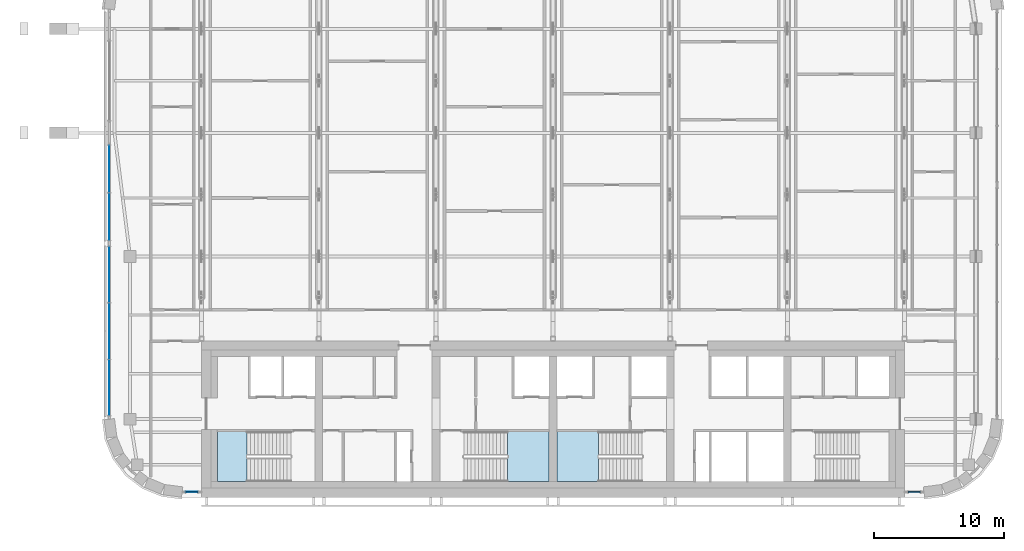
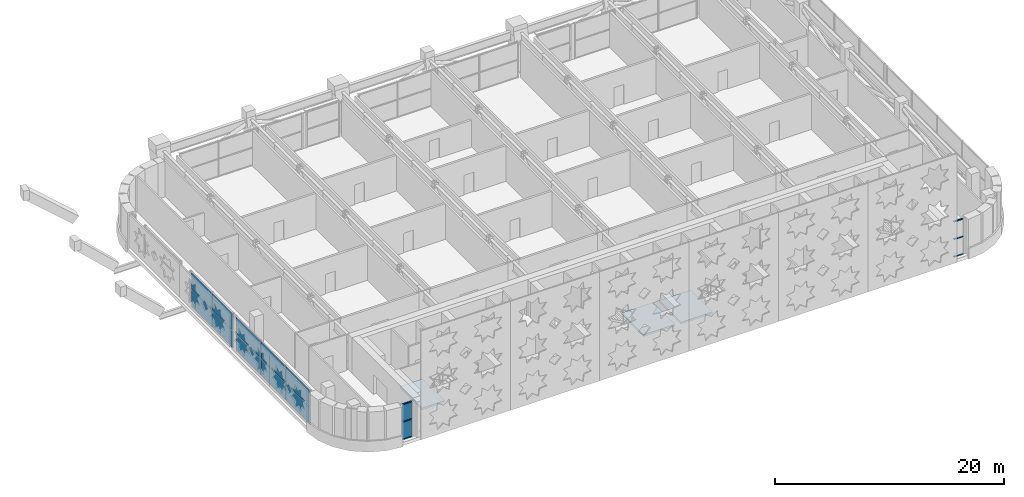
# One storey, part 13 of 26: 12 plates, 6 members, 3 slabs, 7 elements without a shape of their own.
"""IFC4 building model written with IfcOpenShell, lengths in metres."""

from ifc_helpers import new_model, si_unit, direction, frame, origin, origin_2d, place, context, subcontext, project, spatial, polyline, rectangle, outline, extrude, material, layer, layer_set, material_profile, profile_set, type_object, element, aggregate, save


model = new_model("IFC4")

# Units and contexts
model_context = context("Model", 3, precision=1e-05, world=origin(), true_north=direction((0.0, 1.0)))
body_context = subcontext(model_context, "Body", "Model", "MODEL_VIEW")
ifc_project = project(units=[si_unit("LENGTHUNIT", "METRE"), si_unit("AREAUNIT", "SQUARE_METRE"), si_unit("VOLUMEUNIT", "CUBIC_METRE"), si_unit("PLANEANGLEUNIT", "RADIAN"), si_unit("MASSUNIT", "GRAM", prefix="KILO")], contexts=[model_context])

# Site, building, storey
site_placement = place(None, origin())
site = spatial("IfcSite", under=ifc_project, at=site_placement, CompositionType="ELEMENT")
building_placement = place(site_placement, origin())
building = spatial("IfcBuilding", under=site, at=building_placement, Name="Zellij Exchange Tower", CompositionType="ELEMENT")
storey_placement = place(building_placement, frame((0.0, 0.0, 216.5)))
storey = spatial("IfcBuildingStorey", under=building, at=storey_placement, Name="L50", CompositionType="ELEMENT", Elevation=216.5)

# Curtain wall, members
ifc_material_1 = material(Name="Aluminium frame, clear insulating glass", Category="aluminium")
curtain_wall_type = type_object("IfcCurtainWallType", Name="ENV-CW2 Outrigger-storey glazing", PredefinedType="NOTDEFINED", material=ifc_material_1)
curtain_wall_1_placement = place(storey_placement, origin())
curtain_wall_1 = element("IfcCurtainWall", 1, at=curtain_wall_1_placement, inside=storey, type_object=curtain_wall_type, Name="cw.L50.00a", PredefinedType="NOTDEFINED")
ifc_material_2 = material(Name="Aluminium", Category="aluminium")
ifc_material_profile = material_profile(ifc_material_2, rectangle(XDim=0.139892578125, YDim=0.06005859375, at=origin_2d()), Name="AL 140x60")
ifc_profile_set = profile_set([ifc_material_profile], Name="Aluminium")
member_type = type_object("IfcMemberType", Name="ENV-CW2T Transom 140x60", PredefinedType="USERDEFINED", material=ifc_profile_set)
member_1_placement = place(storey_placement, frame((-28.2138671875, -13.60009765625, 0.030029296875), z_axis=(1.0, 0.0, 0.0), x_axis=(0.0, 1.0, 0.0)))
member_1 = element("IfcMember", 2, at=member_1_placement, type_object=member_type, Name="CW2 transom 1.1", ObjectType="TRANSOM", PredefinedType="USERDEFINED", context=body_context, shape_type="SweptSolid", body=[
    extrude(rectangle(XDim=0.139892578125, YDim=0.06005859375, at=origin_2d()), origin(), (0.0, 0.0, 1.0), 0.90380859375),
])
member_2_placement = place(storey_placement, frame((-28.2138671875, -13.60009765625, 1.89990234375), z_axis=(1.0, 0.0, 0.0), x_axis=(0.0, 1.0, 0.0)))
member_2 = element("IfcMember", 3, at=member_2_placement, type_object=member_type, Name="CW2 transom 1.2", ObjectType="TRANSOM", PredefinedType="USERDEFINED", context=body_context, shape_type="SweptSolid", body=[
    extrude(rectangle(XDim=0.139892578125, YDim=0.06005859375, at=origin_2d()), origin(), (0.0, 0.0, 1.0), 0.90380859375),
])
member_3_placement = place(storey_placement, frame((-28.2138671875, -13.60009765625, 3.77001953125), z_axis=(1.0, 0.0, 0.0), x_axis=(0.0, 1.0, 0.0)))
member_3 = element("IfcMember", 4, at=member_3_placement, type_object=member_type, Name="CW2 transom 1.3", ObjectType="TRANSOM", PredefinedType="USERDEFINED", context=body_context, shape_type="SweptSolid", body=[
    extrude(rectangle(XDim=0.139892578125, YDim=0.06005859375, at=origin_2d()), origin(), (0.0, 0.0, 1.0), 0.90380859375),
])

curtain_wall_2_placement = place(storey_placement, origin())
curtain_wall_2 = element("IfcCurtainWall", 5, at=curtain_wall_2_placement, inside=storey, type_object=curtain_wall_type, Name="cw.L50.00b", PredefinedType="NOTDEFINED")
member_4_placement = place(storey_placement, frame((27.31005859375, -13.60009765625, 0.030029296875), z_axis=(1.0, 0.0, 0.0), x_axis=(0.0, 1.0, 0.0)))
member_4 = element("IfcMember", 6, at=member_4_placement, type_object=member_type, Name="CW2 transom 1.1", ObjectType="TRANSOM", PredefinedType="USERDEFINED", context=body_context, shape_type="SweptSolid", body=[
    extrude(rectangle(XDim=0.139892578125, YDim=0.06005859375, at=origin_2d()), origin(), (0.0, 0.0, 1.0), 0.90380859375),
])
member_5_placement = place(storey_placement, frame((27.31005859375, -13.60009765625, 1.89990234375), z_axis=(1.0, 0.0, 0.0), x_axis=(0.0, 1.0, 0.0)))
member_5 = element("IfcMember", 7, at=member_5_placement, type_object=member_type, Name="CW2 transom 1.2", ObjectType="TRANSOM", PredefinedType="USERDEFINED", context=body_context, shape_type="SweptSolid", body=[
    extrude(rectangle(XDim=0.139892578125, YDim=0.06005859375, at=origin_2d()), origin(), (0.0, 0.0, 1.0), 0.90380859375),
])
member_6_placement = place(storey_placement, frame((27.31005859375, -13.60009765625, 3.77001953125), z_axis=(1.0, 0.0, 0.0), x_axis=(0.0, 1.0, 0.0)))
member_6 = element("IfcMember", 8, at=member_6_placement, type_object=member_type, Name="CW2 transom 1.3", ObjectType="TRANSOM", PredefinedType="USERDEFINED", context=body_context, shape_type="SweptSolid", body=[
    extrude(rectangle(XDim=0.139892578125, YDim=0.06005859375, at=origin_2d()), origin(), (0.0, 0.0, 1.0), 0.90380859375),
])
aggregate(curtain_wall_2, [member_4, member_5, member_6])

# Stair, slab
ifc_material_3 = material(Name="Concrete C40/50", Category="concrete")
stair_type = type_object("IfcStairType", Name="CORE-ST exit stair 1850 wide", PredefinedType="HALF_TURN_STAIR", material=ifc_material_3)
stair_1_placement = place(storey_placement, origin())
stair_1 = element("IfcStair", 9, at=stair_1_placement, inside=storey, type_object=stair_type, Name="L50 exit stair ST1", PredefinedType="HALF_TURN_STAIR")
ifc_layer_1 = layer(ifc_material_3, 0.199951171875)
ifc_layer_set_1 = layer_set([ifc_layer_1], Name="Concrete C40/50")
slab_type = type_object("IfcSlabType", Name="CORE-SL stair landing 200", PredefinedType="LANDING", material=ifc_layer_set_1)
slab_1_placement = place(storey_placement, frame((0.0, 0.0, 1.800048828125)))
slab_1 = element("IfcSlab", 10, at=slab_1_placement, type_object=slab_type, Name="ST1 landing 1", PredefinedType="LANDING", context=body_context, shape_type="SweptSolid", body=[
    extrude(outline(polyline([(-23.510009765625, -8.949951171875), (-25.800048828125, -8.949951171875), (-25.800048828125, -12.800048828125), (-23.510009765625, -12.800048828125), (-23.510009765625, -8.949951171875)])), origin(), (0.0, 0.0, 1.0), 0.199951171875),
])
aggregate(stair_1, [slab_1])

stair_2_placement = place(storey_placement, origin())
stair_2 = element("IfcStair", 11, at=stair_2_placement, inside=storey, type_object=stair_type, Name="L50 exit stair ST2", PredefinedType="HALF_TURN_STAIR")
slab_2_placement = place(storey_placement, frame((0.0, 0.0, 1.800048828125)))
slab_2 = element("IfcSlab", 12, at=slab_2_placement, type_object=slab_type, Name="ST2 landing 1", PredefinedType="LANDING", context=body_context, shape_type="SweptSolid", body=[
    extrude(outline(polyline([(-3.489990234375, -12.800048828125), (-0.300048828125, -12.800048828125), (-0.300048828125, -8.949951171875), (-3.489990234375, -8.949951171875), (-3.489990234375, -12.800048828125)])), origin(), (0.0, 0.0, 1.0), 0.199951171875),
])
aggregate(stair_2, [slab_2])

stair_3_placement = place(storey_placement, origin())
stair_3 = element("IfcStair", 13, at=stair_3_placement, inside=storey, type_object=stair_type, Name="L50 exit stair ST3", PredefinedType="HALF_TURN_STAIR")
slab_3_placement = place(storey_placement, frame((0.0, 0.0, 1.800048828125)))
slab_3 = element("IfcSlab", 14, at=slab_3_placement, type_object=slab_type, Name="ST3 landing 1", PredefinedType="LANDING", context=body_context, shape_type="SweptSolid", body=[
    extrude(outline(polyline([(3.489990234375, -8.949951171875), (0.300048828125, -8.949951171875), (0.300048828125, -12.800048828125), (3.489990234375, -12.800048828125), (3.489990234375, -8.949951171875)])), origin(), (0.0, 0.0, 1.0), 0.199951171875),
])
aggregate(stair_3, [slab_3])

# Plate
ifc_material_4 = material(Name="Insulating glass unit, clear", Category="glass")
ifc_layer_2 = layer(ifc_material_4, 0.031982421875)
ifc_layer_set_2 = layer_set([ifc_layer_2], Name="Insulating glass unit, clear")
plate_type = type_object("IfcPlateType", Name="ENV-CW2P Glazed panel 32", PredefinedType="CURTAIN_PANEL", material=ifc_layer_set_2)
plate_1_placement = place(storey_placement, frame((-27.761962890625, -13.60009765625, 0.06005859375), z_axis=(0.0, 0.0, 1.0), x_axis=(1.0, 0.0, 0.0)))
plate_1 = element("IfcPlate", 15, at=plate_1_placement, type_object=plate_type, Name="CW2 panel 1.1", PredefinedType="CURTAIN_PANEL", context=body_context, shape_type="SweptSolid", body=[
    extrude(rectangle(XDim=0.90380859375, YDim=0.031982421875, at=origin_2d()), origin(), (0.0, 0.0, 1.0), 1.81005859375),
])

plate_2_placement = place(storey_placement, frame((-27.761962890625, -13.60009765625, 1.929931640625), z_axis=(0.0, 0.0, 1.0), x_axis=(1.0, 0.0, 0.0)))
plate_2 = element("IfcPlate", 16, at=plate_2_placement, type_object=plate_type, Name="CW2 panel 1.2", PredefinedType="CURTAIN_PANEL", context=body_context, shape_type="SweptSolid", body=[
    extrude(rectangle(XDim=0.90380859375, YDim=0.031982421875, at=origin_2d()), origin(), (0.0, 0.0, 1.0), 1.81005859375),
])

aggregate(curtain_wall_1, [member_1, member_2, member_3, plate_1, plate_2])

# Curtain wall, plates
curtain_wall_3_placement = place(storey_placement, origin())
curtain_wall_3 = element("IfcCurtainWall", 17, at=curtain_wall_3_placement, inside=storey, type_object=curtain_wall_type, Name="cw.L50.21a.b", PredefinedType="NOTDEFINED")
plate_3_placement = place(storey_placement, frame((-34.10009765625, 11.23583984375, 0.06005859375), z_axis=(0.0, 0.0, 1.0), x_axis=(0.0, -1.0, 0.0)))
plate_3 = element("IfcPlate", 18, at=plate_3_placement, type_object=plate_type, Name="CW2 panel 1.1", PredefinedType="CURTAIN_PANEL", context=body_context, shape_type="SweptSolid", body=[
    extrude(rectangle(XDim=3.608154296875, YDim=0.031982421875, at=origin_2d()), origin(), (0.0, 0.0, 1.0), 1.81005859375),
])
plate_4_placement = place(storey_placement, frame((-34.10009765625, 11.23583984375, 1.929931640625), z_axis=(0.0, 0.0, 1.0), x_axis=(0.0, -1.0, 0.0)))
plate_4 = element("IfcPlate", 19, at=plate_4_placement, type_object=plate_type, Name="CW2 panel 1.2", PredefinedType="CURTAIN_PANEL", context=body_context, shape_type="SweptSolid", body=[
    extrude(rectangle(XDim=3.608154296875, YDim=0.031982421875, at=origin_2d()), origin(), (0.0, 0.0, 1.0), 1.81005859375),
])
plate_5_placement = place(storey_placement, frame((-34.10009765625, 7.56787109375, 0.06005859375), z_axis=(0.0, 0.0, 1.0), x_axis=(0.0, -1.0, 0.0)))
plate_5 = element("IfcPlate", 20, at=plate_5_placement, type_object=plate_type, Name="CW2 panel 2.1", PredefinedType="CURTAIN_PANEL", context=body_context, shape_type="SweptSolid", body=[
    extrude(rectangle(XDim=3.608154296875, YDim=0.031982421875, at=origin_2d()), origin(), (0.0, 0.0, 1.0), 1.81005859375),
])
plate_6_placement = place(storey_placement, frame((-34.10009765625, 7.56787109375, 1.929931640625), z_axis=(0.0, 0.0, 1.0), x_axis=(0.0, -1.0, 0.0)))
plate_6 = element("IfcPlate", 21, at=plate_6_placement, type_object=plate_type, Name="CW2 panel 2.2", PredefinedType="CURTAIN_PANEL", context=body_context, shape_type="SweptSolid", body=[
    extrude(rectangle(XDim=3.608154296875, YDim=0.031982421875, at=origin_2d()), origin(), (0.0, 0.0, 1.0), 1.81005859375),
])
aggregate(curtain_wall_3, [plate_3, plate_4, plate_5, plate_6])

curtain_wall_4_placement = place(storey_placement, origin())
curtain_wall_4 = element("IfcCurtainWall", 22, at=curtain_wall_4_placement, inside=storey, type_object=curtain_wall_type, Name="cw.L50.21b", PredefinedType="NOTDEFINED")
plate_7_placement = place(storey_placement, frame((-34.10009765625, 3.109130859375, 0.06005859375), z_axis=(0.0, 0.0, 1.0), x_axis=(0.0, -1.0, 0.0)))
plate_7 = element("IfcPlate", 23, at=plate_7_placement, type_object=plate_type, Name="CW2 panel 1.1", PredefinedType="CURTAIN_PANEL", context=body_context, shape_type="SweptSolid", body=[
    extrude(rectangle(XDim=4.269287109375, YDim=0.031982421875, at=origin_2d()), origin(), (0.0, 0.0, 1.0), 1.81005859375),
])
plate_8_placement = place(storey_placement, frame((-34.10009765625, 3.109130859375, 1.929931640625), z_axis=(0.0, 0.0, 1.0), x_axis=(0.0, -1.0, 0.0)))
plate_8 = element("IfcPlate", 24, at=plate_8_placement, type_object=plate_type, Name="CW2 panel 1.2", PredefinedType="CURTAIN_PANEL", context=body_context, shape_type="SweptSolid", body=[
    extrude(rectangle(XDim=4.269287109375, YDim=0.031982421875, at=origin_2d()), origin(), (0.0, 0.0, 1.0), 1.81005859375),
])
plate_9_placement = place(storey_placement, frame((-34.10009765625, -1.235107421875, 0.06005859375), z_axis=(0.0, 0.0, 1.0), x_axis=(0.0, -1.0, 0.0)))
plate_9 = element("IfcPlate", 25, at=plate_9_placement, type_object=plate_type, Name="CW2 panel 2.1", PredefinedType="CURTAIN_PANEL", context=body_context, shape_type="SweptSolid", body=[
    extrude(rectangle(XDim=4.29931640625, YDim=0.031982421875, at=origin_2d()), origin(), (0.0, 0.0, 1.0), 1.81005859375),
])
plate_10_placement = place(storey_placement, frame((-34.10009765625, -1.235107421875, 1.929931640625), z_axis=(0.0, 0.0, 1.0), x_axis=(0.0, -1.0, 0.0)))
plate_10 = element("IfcPlate", 26, at=plate_10_placement, type_object=plate_type, Name="CW2 panel 2.2", PredefinedType="CURTAIN_PANEL", context=body_context, shape_type="SweptSolid", body=[
    extrude(rectangle(XDim=4.29931640625, YDim=0.031982421875, at=origin_2d()), origin(), (0.0, 0.0, 1.0), 1.81005859375),
])
plate_11_placement = place(storey_placement, frame((-34.10009765625, -5.5791015625, 0.06005859375), z_axis=(0.0, 0.0, 1.0), x_axis=(0.0, -1.0, 0.0)))
plate_11 = element("IfcPlate", 27, at=plate_11_placement, type_object=plate_type, Name="CW2 panel 3.1", PredefinedType="CURTAIN_PANEL", context=body_context, shape_type="SweptSolid", body=[
    extrude(rectangle(XDim=4.269287109375, YDim=0.031982421875, at=origin_2d()), origin(), (0.0, 0.0, 1.0), 1.81005859375),
])
plate_12_placement = place(storey_placement, frame((-34.10009765625, -5.5791015625, 1.929931640625), z_axis=(0.0, 0.0, 1.0), x_axis=(0.0, -1.0, 0.0)))
plate_12 = element("IfcPlate", 28, at=plate_12_placement, type_object=plate_type, Name="CW2 panel 3.2", PredefinedType="CURTAIN_PANEL", context=body_context, shape_type="SweptSolid", body=[
    extrude(rectangle(XDim=4.269287109375, YDim=0.031982421875, at=origin_2d()), origin(), (0.0, 0.0, 1.0), 1.81005859375),
])
aggregate(curtain_wall_4, [plate_7, plate_8, plate_9, plate_10, plate_11, plate_12])

save(model, "model.ifc")
